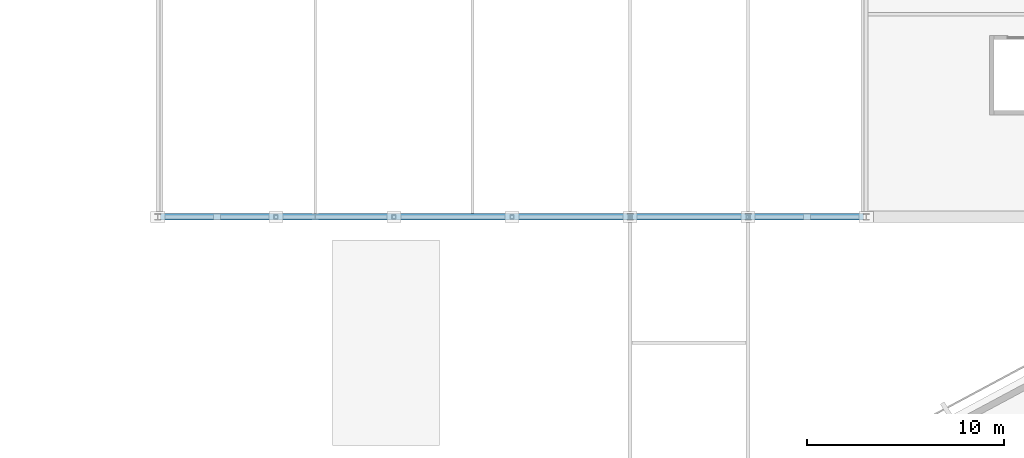
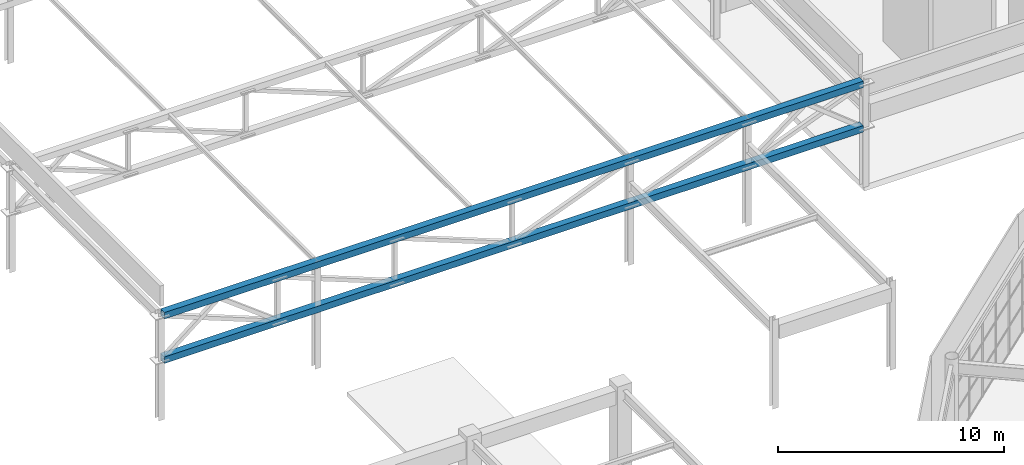
# One storey, part 48 of 122: 2 members.
"""IFC4 building model written with IfcOpenShell, lengths in metres."""

from ifc_helpers import new_model, si_unit, direction, frame, origin, origin_2d, place, context, subcontext, project, spatial, hollow_rectangle, extrude, material, material_profile, profile_set, type_object, element, save


model = new_model("IFC4")

# Units and contexts
model_context = context("Model", 3, precision=1e-05, world=origin(), true_north=direction((0.0, 1.0)))
body_context = subcontext(model_context, "Body", "Model", "MODEL_VIEW")
ifc_project = project(units=[si_unit("LENGTHUNIT", "METRE"), si_unit("AREAUNIT", "SQUARE_METRE"), si_unit("VOLUMEUNIT", "CUBIC_METRE"), si_unit("PLANEANGLEUNIT", "RADIAN"), si_unit("MASSUNIT", "GRAM", prefix="KILO")], contexts=[model_context])

# Site, building, storey
site_placement = place(None, origin())
site = spatial("IfcSite", under=ifc_project, at=site_placement, CompositionType="ELEMENT")
building_placement = place(site_placement, origin())
building = spatial("IfcBuilding", under=site, at=building_placement, Name="Cuetzalor Civic Arena", CompositionType="ELEMENT")
storey_placement = place(building_placement, frame((0.0, 0.0, 16.199951171875)))
storey = spatial("IfcBuildingStorey", under=building, at=storey_placement, Name="L03", CompositionType="ELEMENT", Elevation=16.199951171875)

# Members
ifc_material = material(Name="Steel S355", Category="steel")
ifc_material_profile = material_profile(ifc_material, hollow_rectangle(XDim=0.35009765625, YDim=0.35009765625, WallThickness=0.01611328125, at=origin_2d()), Name="RHS 350x350x16")
ifc_profile_set = profile_set([ifc_material_profile], Name="Steel S355")
member_type = type_object("IfcMemberType", Name="PrattTrussChord_RHS350", PredefinedType="CHORD", material=ifc_profile_set)
for number, where, z_axis, x_axis, name in (
    (1, (-71.860107421875, 48.300048828125, 5.60009765625), (1.0, 0.0, 0.0), (0.0, 1.0, 0.0), "Practice Court Pratt Top Chord T1"),
    (2, (-71.860107421875, 48.300048828125, 3.199951171875), (1.0, 0.0, 0.0), (0.0, 1.0, 0.0), "Practice Court Pratt Bottom Chord T1"),
):
    element("IfcMember", number, at=place(storey_placement, frame(where, z_axis=z_axis, x_axis=x_axis)), inside=storey, type_object=member_type, Name=name, PredefinedType="CHORD", context=body_context, shape_type="SweptSolid", body=[
        extrude(hollow_rectangle(XDim=0.35009765625, YDim=0.35009765625, WallThickness=0.01611328125, at=origin_2d()), origin(), (0.0, 0.0, 1.0), 35.72021484375),
    ])

save(model, "model.ifc")
